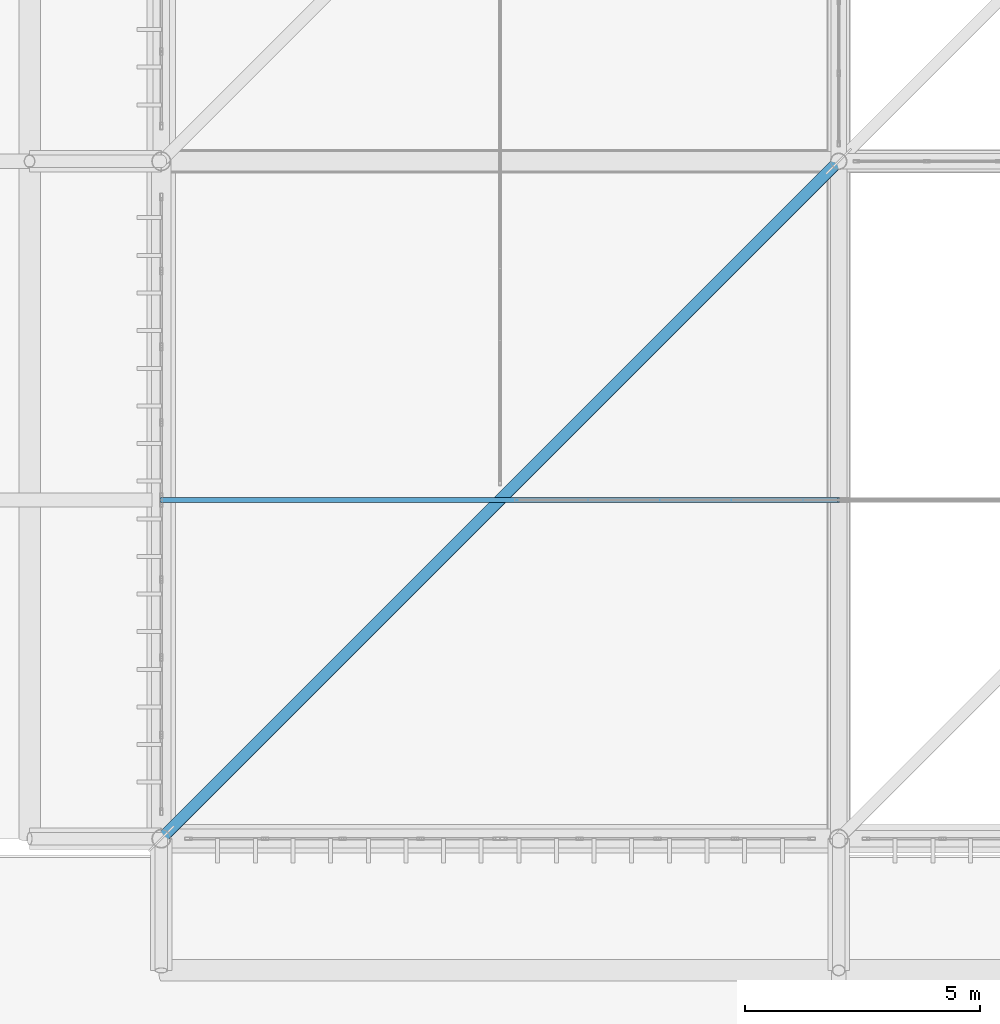
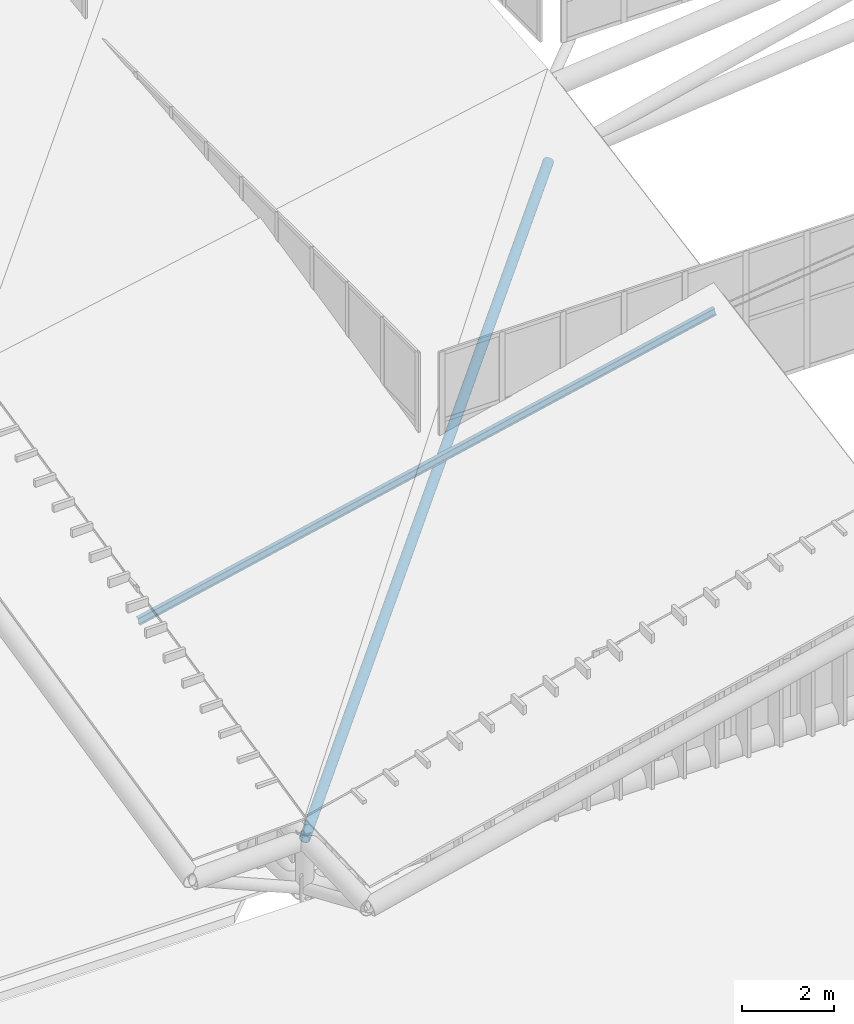
# One storey, part 12 of 397: 2 members.
"""IFC4 building model written with IfcOpenShell, lengths in metres."""

from ifc_helpers import new_model, si_unit, direction, frame, origin, origin_2d, place, context, subcontext, project, spatial, hollow_circle, i_section, extrude, material, material_profile, profile_set, type_object, element, save


model = new_model("IFC4")

# Units and contexts
model_context = context("Model", 3, precision=1e-05, world=origin(), true_north=direction((0.0, 1.0)))
body_context = subcontext(model_context, "Body", "Model", "MODEL_VIEW")
ifc_project = project(units=[si_unit("LENGTHUNIT", "METRE"), si_unit("AREAUNIT", "SQUARE_METRE"), si_unit("VOLUMEUNIT", "CUBIC_METRE"), si_unit("PLANEANGLEUNIT", "RADIAN"), si_unit("MASSUNIT", "GRAM", prefix="KILO")], contexts=[model_context])

# Site, building, storey
site_placement = place(None, origin())
site = spatial("IfcSite", under=ifc_project, at=site_placement, CompositionType="ELEMENT")
building_placement = place(site_placement, origin())
building = spatial("IfcBuilding", under=site, at=building_placement, Name="Qandorah Velis Arena", CompositionType="ELEMENT")
storey_placement = place(building_placement, frame((0.0, 0.0, 27.5)))
storey = spatial("IfcBuildingStorey", under=building, at=storey_placement, Name="RF", CompositionType="ELEMENT", Elevation=27.5)

# Members
ifc_material = material(Name="Steel S355", Category="steel")
ifc_material_profile_1 = material_profile(ifc_material, i_section(OverallWidth=0.10009765625, OverallDepth=0.199951171875, WebThickness=0.005615234375, FlangeThickness=0.008544921875, FilletRadius=0.011962890625, at=origin_2d()), Name="IPE 200")
ifc_profile_set_1 = profile_set([ifc_material_profile_1], Name="Steel S355")
member_type_1 = type_object("IfcMemberType", Name="STR-PRL-IPE200", PredefinedType="PURLIN", material=ifc_profile_set_1)
member_1_placement = place(storey_placement, frame((14.39990234375, 21.60009765625, 2.7841796875), z_axis=(0.976836120883, 0.0, 0.213988768254), x_axis=(0.0, 1.0, 0.0)))
element("IfcMember", 1, at=member_1_placement, inside=storey, type_object=member_type_1, Name="Arena roof purlin PRL-0.0", PredefinedType="PURLIN", context=body_context, shape_type="SweptSolid", body=[
    extrude(i_section(OverallWidth=0.10009765625, OverallDepth=0.199951171875, WebThickness=0.005615234375, FlangeThickness=0.008544921875, FilletRadius=0.011962890625, at=origin_2d()), origin(), (0.0, 0.0, 1.0), 14.74169921875),
])
ifc_material_profile_2 = material_profile(ifc_material, hollow_circle(Radius=0.122314453125, WallThickness=0.012451171875, at=origin_2d()), Name="CHS 244.5x12.5")
ifc_profile_set_2 = profile_set([ifc_material_profile_2], Name="Steel S355")
member_type_2 = type_object("IfcMemberType", Name="STR-SFD-CHS244X12", PredefinedType="STRUT", material=ifc_profile_set_2)
member_2_placement = place(storey_placement, frame((28.800048828125, 28.800048828125, 5.515380859375), z_axis=(-0.693095675622, -0.693095675622, -0.19808273238), x_axis=(0.707106781187, -0.707106781187, 0.0)))
element("IfcMember", 2, at=member_2_placement, inside=storey, type_object=member_type_2, Name="Space frame roof spatial diagonal 0.0", PredefinedType="STRUT", context=body_context, shape_type="SweptSolid", body=[
    extrude(hollow_circle(Radius=0.122314453125, WallThickness=0.012451171875, at=origin_2d()), origin(), (0.0, 0.0, 1.0), 20.776611328125),
])

save(model, "model.ifc")
